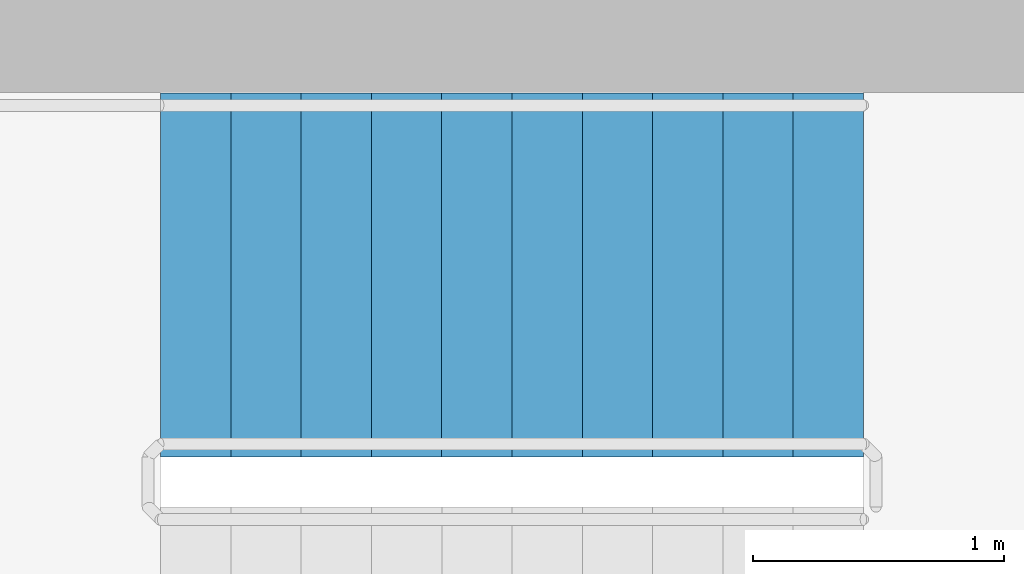
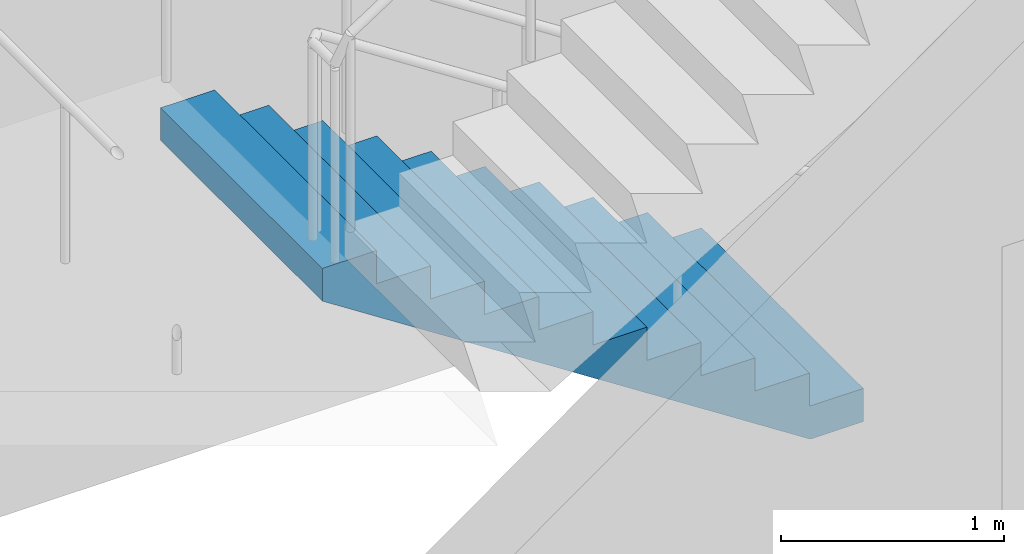
# One storey, part 13 of 14: 1 stair flight, 1 element without a shape of its own.
"""IFC4 building model written with IfcOpenShell, lengths in metres."""

import ifcopenshell
import ifcopenshell.guid

model = None  # the IFC model being written
_history = None  # IfcOwnerHistory: only IFC2X3 demands one
_inside = {}  # id of a spatial element -> (the spatial element, [elements in it])
_under = {}  # id of a project, library or spatial element -> (it, [spatial elements below it])
_declared = {}  # id of a project -> (the project, [libraries it declares])
_typed = {}  # id of a type object -> (the type object, [elements of that type])
_made_of = {}  # id of a material, layer set ... -> (it, [elements and type objects made of it])


def new_model(schema):
    """Start an empty IFC model of exactly this schema.

    Asked for "IFC4X3", IfcOpenShell would pick the latest addendum, in which some entities
    have other attributes; the version numbers below select the first issue.
    IFC2X3 requires an IfcOwnerHistory on every rooted entity: one is made here for all.
    """
    global model, _history
    if schema == "IFC4X3":
        model = ifcopenshell.file(schema_version=(4, 3, 0, 0))
    else:
        model = ifcopenshell.file(schema=schema)
    _inside.clear()
    _under.clear()
    _declared.clear()
    _typed.clear()
    _made_of.clear()
    _history = None
    if model.schema == "IFC2X3":
        org = make("IfcOrganization", Name="unknown")
        user = make(
            "IfcPersonAndOrganization",
            ThePerson=make("IfcPerson", FamilyName="unknown"),
            TheOrganization=org,
        )
        app = make(
            "IfcApplication",
            ApplicationDeveloper=org,
            Version="unknown",
            ApplicationFullName="unknown",
            ApplicationIdentifier="unknown",
        )
        _history = make(
            "IfcOwnerHistory",
            OwningUser=user,
            OwningApplication=app,
            ChangeAction="ADDED",
            CreationDate=0,
        )
    return model


def make(cls, **values):
    """One entity of the class cls with the attributes given. An attribute that is None is left unset."""
    return model.create_entity(
        cls, **{name: value for name, value in values.items() if value is not None}
    )


def rooted(cls, **values):
    """An entity with a GlobalId (a new one), such as an element, a storey or a relation."""
    return make(cls, GlobalId=ifcopenshell.guid.new(), OwnerHistory=_history, **values)


def si_unit(unit_type, name, prefix=None):
    """IfcSIUnit, for example si_unit("LENGTHUNIT", "METRE", prefix="MILLI")."""
    return make("IfcSIUnit", UnitType=unit_type, Prefix=prefix, Name=name)


def assignment(units):
    """IfcUnitAssignment: the units of a project."""
    return None if units is None else make("IfcUnitAssignment", Units=units)


def point(xyz):
    """IfcCartesianPoint."""
    return None if xyz is None else make("IfcCartesianPoint", Coordinates=xyz)


def direction(xyz):
    """IfcDirection."""
    return None if xyz is None else make("IfcDirection", DirectionRatios=xyz)


def frame(location, z_axis=None, x_axis=None):
    """IfcAxis2Placement3D, a coordinate frame: its origin and axes. An axis left out is left unset."""
    return make(
        "IfcAxis2Placement3D",
        Location=point(location),
        Axis=direction(z_axis),
        RefDirection=direction(x_axis),
    )


def origin():
    """The frame at (0, 0, 0) with its axes left unset."""
    return frame((0.0, 0.0, 0.0))


def place(relative_to, where):
    """IfcLocalPlacement: puts the frame where relative to a parent placement (None: the world)."""
    return make(
        "IfcLocalPlacement", PlacementRelTo=relative_to, RelativePlacement=where
    )


def context(
    kind, dimensions, precision=None, world=None, true_north=None, identifier=None
):
    """IfcGeometricRepresentationContext, for example the 3D "Model" context."""
    return make(
        "IfcGeometricRepresentationContext",
        ContextIdentifier=identifier,
        ContextType=kind,
        CoordinateSpaceDimension=dimensions,
        Precision=precision,
        WorldCoordinateSystem=world,
        TrueNorth=true_north,
    )


def subcontext(parent, identifier, kind, view, scale=None):
    """IfcGeometricRepresentationSubContext, for example "Body" below "Model"."""
    return make(
        "IfcGeometricRepresentationSubContext",
        ContextIdentifier=identifier,
        ContextType=kind,
        ParentContext=parent,
        TargetScale=scale,
        TargetView=view,
    )


def project(units=None, contexts=None):
    """IfcProject with its units and contexts."""
    return rooted(
        "IfcProject",
        Name="project",
        RepresentationContexts=contexts,
        UnitsInContext=assignment(units),
    )


def spatial(cls, under=None, at=None, **own):
    """A site, building, storey or space (cls), placed at a placement, below another one or the project."""
    s = rooted(cls, ObjectPlacement=at, **own)
    if under is not None:
        _under.setdefault(under.id(), (under, []))[1].append(s)
    return s


def polyline(points):
    """IfcPolyline through the points."""
    return make("IfcPolyline", Points=[point(p) for p in points])


def outline(outer, holes=None, kind="AREA"):
    """IfcArbitraryClosedProfileDef: a profile drawn as a closed curve; with holes, ...WithVoids."""
    if holes is None:
        return make("IfcArbitraryClosedProfileDef", ProfileType=kind, OuterCurve=outer)
    return make(
        "IfcArbitraryProfileDefWithVoids",
        ProfileType=kind,
        OuterCurve=outer,
        InnerCurves=holes,
    )


def extrude(swept, where, along, depth):
    """IfcExtrudedAreaSolid: the profile swept, set in the frame where, extruded along a direction by depth."""
    return make(
        "IfcExtrudedAreaSolid",
        SweptArea=swept,
        Position=where,
        ExtrudedDirection=direction(along),
        Depth=depth,
    )


def shape(context_of_items, identifier, shape_type, items):
    """IfcShapeRepresentation: the items that make up one representation, for example the "Body"."""
    return make(
        "IfcShapeRepresentation",
        ContextOfItems=context_of_items,
        RepresentationIdentifier=identifier,
        RepresentationType=shape_type,
        Items=items,
    )


def material(Name=None, Category=None):
    """IfcMaterial."""
    return make("IfcMaterial", Name=Name, Category=Category)


def made_of(thing, what):
    """Note that an element or type object is made of a material, layer set ...; save() writes the relation."""
    if what is not None:
        _made_of.setdefault(what.id(), (what, []))[1].append(thing)
    return thing


def type_object(cls, material=None, **own):
    """A type object (cls), such as IfcWallType, which elements share."""
    return made_of(rooted(cls, **own), material)


def element(
    cls,
    number,
    at=None,
    inside=None,
    cuts=None,
    type_object=None,
    material=None,
    context=None,
    identifier="Body",
    shape_type=None,
    held_by="IfcProductDefinitionShape",
    body=None,
    shapes=None,
    **own,
):
    """One element of the class cls, such as IfcWall. Its Tag is "e" and its number.

    at: its placement. inside: the storey or other place that contains it. cuts: it is an
    opening in that element (IfcRelVoidsElement). A single representation is given by context,
    identifier, shape_type and body (its items); several are given by shapes. held_by: the class
    of the entity that holds the representations. save() writes the other relations.
    """
    e = rooted(cls, Tag="e%d" % number, ObjectPlacement=at, **own)
    if body is not None:
        shapes = [shape(context, identifier, shape_type, body)]
    if shapes is not None:
        e.Representation = make(held_by, Representations=shapes)
    if inside is not None:
        _inside.setdefault(inside.id(), (inside, []))[1].append(e)
    if cuts is not None:
        rooted(
            "IfcRelVoidsElement", RelatingBuildingElement=cuts, RelatedOpeningElement=e
        )
    if type_object is not None:
        _typed.setdefault(type_object.id(), (type_object, []))[1].append(e)
    return made_of(e, material)


def aggregate(whole, parts):
    """IfcRelAggregates: a whole, such as a stair, and the parts it consists of."""
    return rooted("IfcRelAggregates", RelatingObject=whole, RelatedObjects=parts)


def save(model, path):
    """Write the relations noted so far, then the file.

    IfcRelAggregates (storeys below a building ...), IfcRelContainedInSpatialStructure (elements
    in a storey), IfcRelDefinesByType, IfcRelAssociatesMaterial and IfcRelDeclares: one each for
    every whole, place, type object, material and project.
    """
    for whole, parts in _under.values():
        aggregate(whole, parts)
    for where, things in _inside.values():
        rooted(
            "IfcRelContainedInSpatialStructure",
            RelatedElements=things,
            RelatingStructure=where,
        )
    for kind, things in _typed.values():
        rooted("IfcRelDefinesByType", RelatedObjects=things, RelatingType=kind)
    for what, things in _made_of.values():
        rooted("IfcRelAssociatesMaterial", RelatedObjects=things, RelatingMaterial=what)
    for by, libraries in _declared.values():
        rooted("IfcRelDeclares", RelatingContext=by, RelatedDefinitions=libraries)
    model.write(path)


model = new_model("IFC4")

# Units and contexts
model_context = context("Model", 3, precision=1e-05, world=origin(), true_north=direction((0.0, 1.0)))
body_context = subcontext(model_context, "Body", "Model", "MODEL_VIEW")
ifc_project = project(units=[si_unit("LENGTHUNIT", "METRE"), si_unit("AREAUNIT", "SQUARE_METRE"), si_unit("VOLUMEUNIT", "CUBIC_METRE"), si_unit("PLANEANGLEUNIT", "RADIAN"), si_unit("MASSUNIT", "GRAM", prefix="KILO")], contexts=[model_context])

# Site, building, storey
site_placement = place(None, origin())
site = spatial("IfcSite", under=ifc_project, at=site_placement, CompositionType="ELEMENT")
building_placement = place(site_placement, origin())
building = spatial("IfcBuilding", under=site, at=building_placement, Name="Verdant Reach Tower", CompositionType="ELEMENT")
storey_placement = place(building_placement, frame((0.0, 0.0, 162.0)))
storey = spatial("IfcBuildingStorey", under=building, at=storey_placement, Name="L37", CompositionType="ELEMENT", Elevation=162.0)

# Stair, stair flight
ifc_material = material(Name="Concrete C40/50", Category="concrete")
stair_type = type_object("IfcStairType", Name="CO-STAIR", PredefinedType="HALF_TURN_STAIR", material=ifc_material)
stair_placement = place(storey_placement, origin())
stair = element("IfcStair", 1, at=stair_placement, inside=storey, type_object=stair_type, Name="L37 Exit stair 3", PredefinedType="HALF_TURN_STAIR")
stair_flight_type = type_object("IfcStairFlightType", Name="CO-STAIR-FLIGHT", PredefinedType="STRAIGHT", material=ifc_material)
stair_flight_placement = place(storey_placement, frame((11.14990234375, 36.875, 0.0), z_axis=(0.0, 0.0, 1.0), x_axis=(-1.0, 0.0, 0.0)))
stair_flight = element("IfcStairFlight", 2, at=stair_flight_placement, type_object=stair_flight_type, Name="ST-3 flight 1", NumberOfRisers=11, NumberOfTreads=10, PredefinedType="STRAIGHT", RiserHeight=0.181818182, TreadLength=0.28, context=body_context, shape_type="SweptSolid", body=[
    extrude(outline(polyline([(0.0, 0.0), (0.0, 0.181884765625), (0.280029296875, 0.181884765625), (0.280029296875, 0.363525390625), (0.56005859375, 0.363525390625), (0.56005859375, 0.54541015625), (0.840087890625, 0.54541015625), (0.840087890625, 0.727294921875), (1.1201171875, 0.727294921875), (1.1201171875, 0.9091796875), (1.39990234375, 0.9091796875), (1.39990234375, 1.0908203125), (1.679931640625, 1.0908203125), (1.679931640625, 1.272705078125), (1.9599609375, 1.272705078125), (1.9599609375, 1.45458984375), (2.239990234375, 1.45458984375), (2.239990234375, 1.636474609375), (2.52001953125, 1.636474609375), (2.52001953125, 1.818115234375), (2.800048828125, 1.818115234375), (2.800048828125, 2.0), (2.800048828125, 1.639404296875), (0.275146484375, 0.0), (0.0, 0.0)])), frame((0.0, 0.72509765625, 0.0), z_axis=(0.0, -1.0, 0.0), x_axis=(1.0, 0.0, 0.0)), (0.0, 0.0, 1.0), 1.449951171875),
])
aggregate(stair, [stair_flight])

save(model, "model.ifc")
